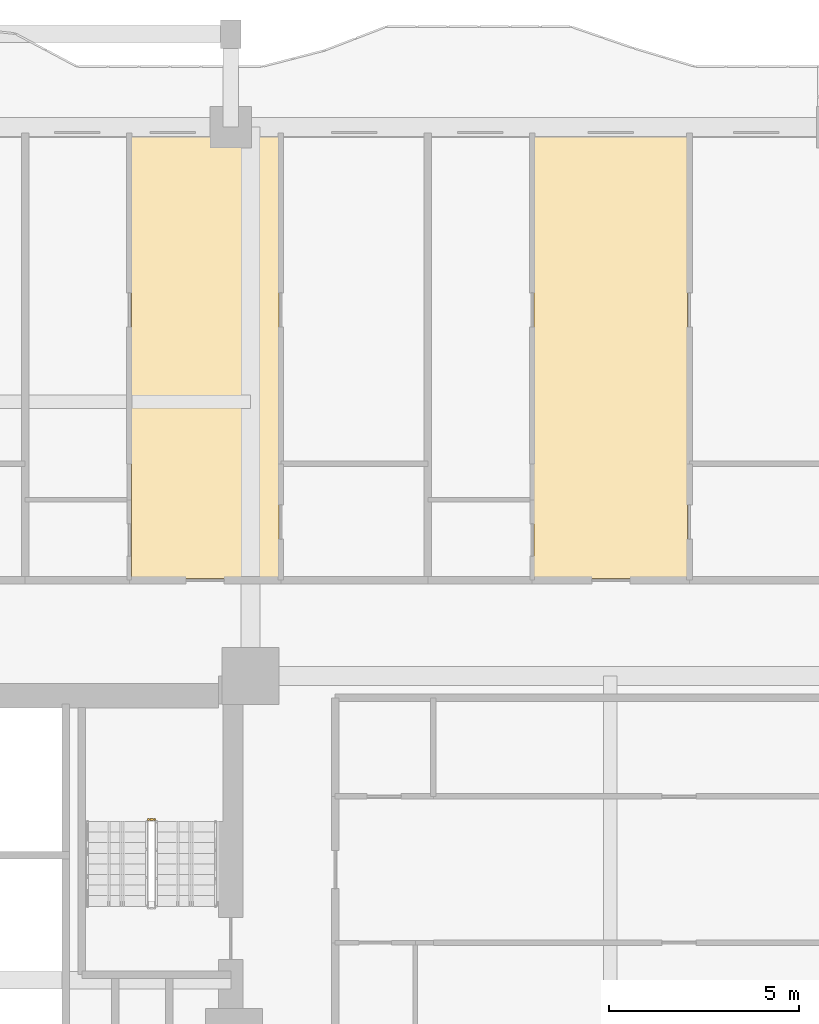
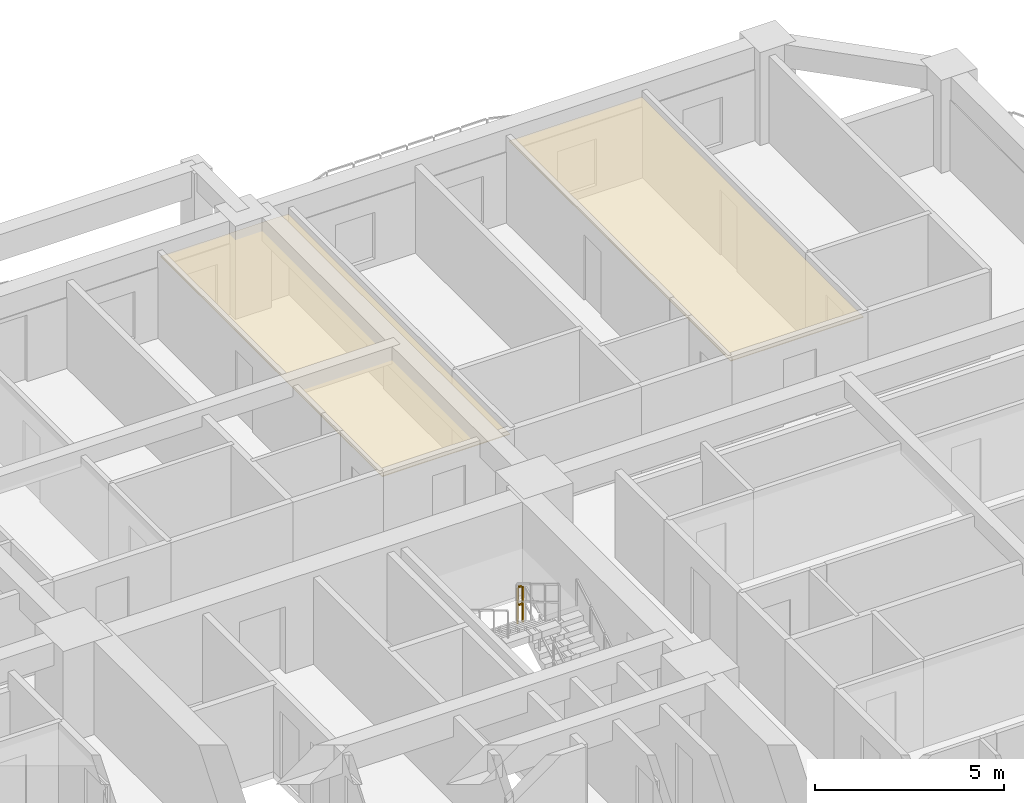
# One storey, part 16 of 16: 2 coverings, 1 railing.
"""IFC4 building model written with IfcOpenShell, lengths in metres."""

from ifc_helpers import new_model, si_unit, direction, frame, origin, origin_2d, place, context, subcontext, project, spatial, polyline, rectangle, outline, extrude, material, layer, layer_set, type_object, element, save


model = new_model("IFC4")

# Units and contexts
model_context = context("Model", 3, precision=1e-05, world=origin(), true_north=direction((0.0, 1.0)))
body_context = subcontext(model_context, "Body", "Model", "MODEL_VIEW")
ifc_project = project(units=[si_unit("LENGTHUNIT", "METRE"), si_unit("AREAUNIT", "SQUARE_METRE"), si_unit("VOLUMEUNIT", "CUBIC_METRE"), si_unit("PLANEANGLEUNIT", "RADIAN"), si_unit("MASSUNIT", "GRAM", prefix="KILO")], contexts=[model_context])

# Site, building, storey
site_placement = place(None, origin())
site = spatial("IfcSite", under=ifc_project, at=site_placement, CompositionType="ELEMENT")
building_placement = place(site_placement, origin())
building = spatial("IfcBuilding", under=site, at=building_placement, Name="Saelheon Loggia Tower", CompositionType="ELEMENT")
storey_placement = place(building_placement, frame((0.0, 0.0, 64.39990234375)))
storey = spatial("IfcBuildingStorey", under=building, at=storey_placement, Name="L20", CompositionType="ELEMENT", Elevation=64.39990234375)

# Coverings
ifc_material_1 = material(Name="Mineral-Fibre Acoustic Ceiling Board", Category="gypsum")
ifc_layer = layer(ifc_material_1, 0.02490234375)
ifc_layer_set = layer_set([ifc_layer], Name="Mineral-Fibre Acoustic Ceiling Board")
covering_type = type_object("IfcCoveringType", Name="Cov_Ceiling_Acoustic", PredefinedType="CEILING", material=ifc_layer_set)
covering_1_placement = place(storey_placement, frame((0.0, 0.0, 2.53515625)))
element("IfcCovering", 1, at=covering_1_placement, inside=storey, type_object=covering_type, Name="L20 Acoustic Suspended Ceiling", PredefinedType="CEILING", context=body_context, shape_type="SweptSolid", body=[
    extrude(outline(polyline([(41.875, 39.10009765625), (45.77001953125, 39.10009765625), (45.77001953125, 50.800048828125), (41.875, 50.800048828125), (41.875, 39.10009765625)])), origin(), (0.0, 0.0, 1.0), 0.02490234375),
])
covering_2_placement = place(storey_placement, frame((0.0, 0.0, 2.53515625)))
element("IfcCovering", 2, at=covering_2_placement, inside=storey, type_object=covering_type, Name="L20 Acoustic Suspended Ceiling", PredefinedType="CEILING", context=body_context, shape_type="SweptSolid", body=[
    extrude(outline(polyline([(52.49755859375, 39.10009765625), (56.547119140625, 39.10009765625), (56.547119140625, 50.800048828125), (52.49755859375, 50.800048828125), (52.49755859375, 39.10009765625)])), origin(), (0.0, 0.0, 1.0), 0.02490234375),
])

# Railing
ifc_material_2 = material(Name="Galvanised Steel S275 Stairwell Guardrail", Category="steel")
railing_type = type_object("IfcRailingType", Name="Guard_StairWell_RL_STG", PredefinedType="GUARDRAIL", material=ifc_material_2)
railing_placement = place(storey_placement, frame((42.489990234375, 32.739990234375, 1.5)))
element("IfcRailing", 3, at=railing_placement, inside=storey, type_object=railing_type, Name="L20 ST2 stair guard 2", PredefinedType="GUARDRAIL", context=body_context, shape_type="SweptSolid", body=[
    extrude(rectangle(XDim=0.048095703125, YDim=0.048095703125, at=origin_2d()), frame((-0.033203125, 0.0, 1.17578125), z_axis=(-1.0, 0.0, 0.0), x_axis=(0.0, -1.0, 0.0)), (0.0, 0.0, 1.0), 0.093505859375),
    extrude(rectangle(XDim=0.048095703125, YDim=0.048095703125, at=origin_2d()), frame((-0.033203125, 0.0, 0.60009765625), z_axis=(-1.0, 0.0, 0.0), x_axis=(0.0, -1.0, 0.0)), (0.0, 0.0, 1.0), 0.093505859375),
    extrude(rectangle(XDim=0.0419921875, YDim=0.0419921875, at=origin_2d()), origin(), (0.0, 0.0, 1.0), 1.14794921875),
    extrude(rectangle(XDim=0.0419921875, YDim=0.0419921875, at=origin_2d()), frame((-0.159912109375, 0.0, 0.0)), (0.0, 0.0, 1.0), 1.14794921875),
])

save(model, "model.ifc")
